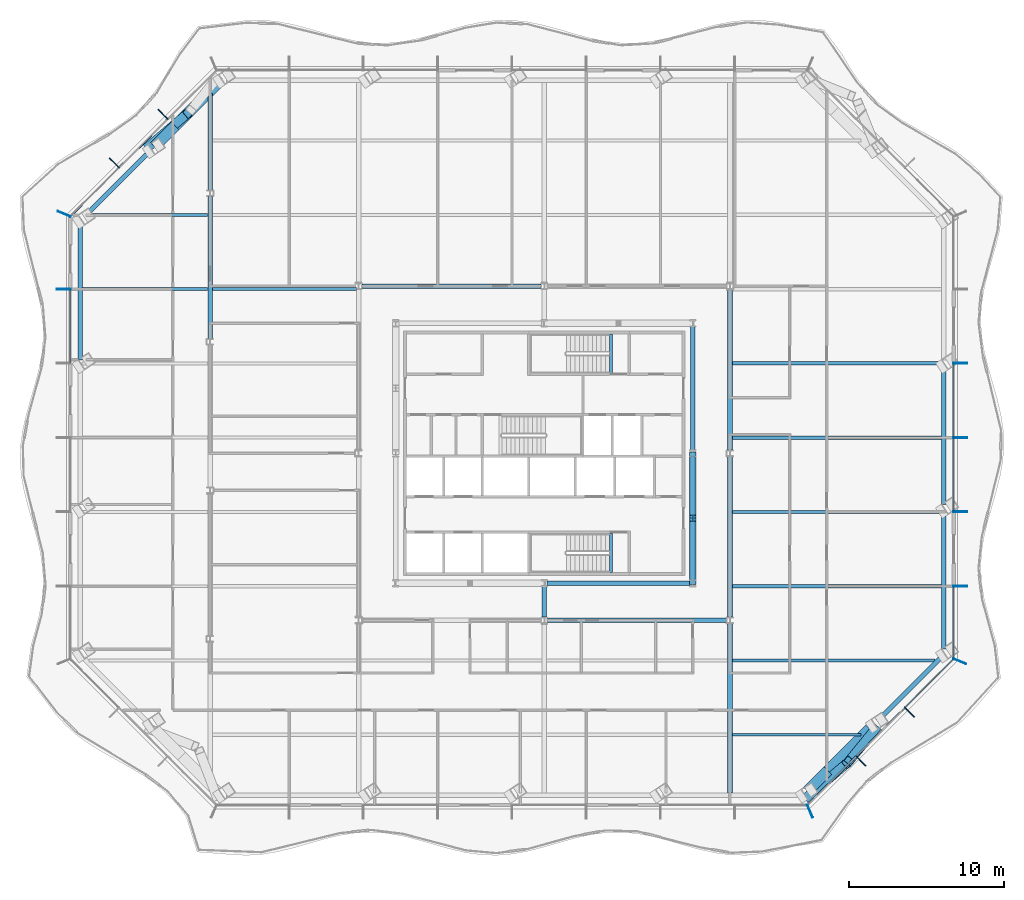
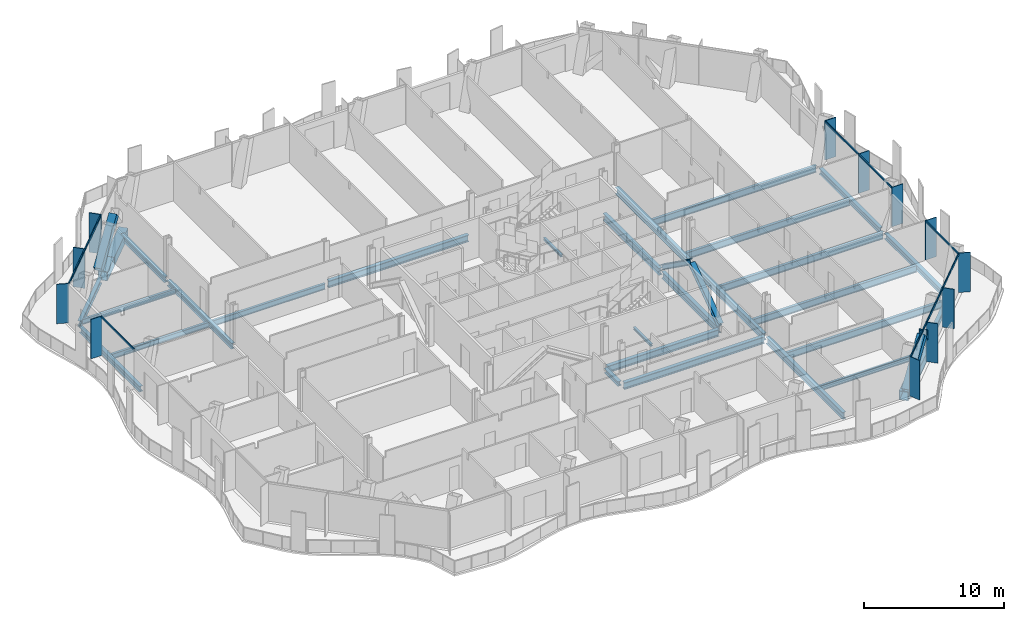
# One storey, part 4 of 22: 31 beams, 26 members, 4 elements without a shape of their own.
"""IFC4 building model written with IfcOpenShell, lengths in metres."""

from ifc_helpers import new_model, si_unit, direction, frame, origin, origin_2d, place, context, subcontext, project, spatial, rectangle, hollow_rectangle, i_section, extrude, material, material_profile, profile_set, type_object, element, aggregate, save


model = new_model("IFC4")

# Units and contexts
model_context = context("Model", 3, precision=1e-05, world=origin(), true_north=direction((0.0, 1.0)))
body_context = subcontext(model_context, "Body", "Model", "MODEL_VIEW")
ifc_project = project(units=[si_unit("LENGTHUNIT", "METRE"), si_unit("AREAUNIT", "SQUARE_METRE"), si_unit("VOLUMEUNIT", "CUBIC_METRE"), si_unit("PLANEANGLEUNIT", "RADIAN"), si_unit("MASSUNIT", "GRAM", prefix="KILO")], contexts=[model_context])

# Site, building, storey
site_placement = place(None, origin())
site = spatial("IfcSite", under=ifc_project, at=site_placement, CompositionType="ELEMENT")
building_placement = place(site_placement, origin())
building = spatial("IfcBuilding", under=site, at=building_placement, Name="Cairn Pilgrim Tower", CompositionType="ELEMENT")
storey_placement = place(building_placement, frame((0.0, 0.0, 105.0)))
storey = spatial("IfcBuildingStorey", under=building, at=storey_placement, Name="L25", CompositionType="ELEMENT", Elevation=105.0)

# Members
ifc_material_1 = material(Name="Structural steel S460M", Category="steel")
ifc_material_profile_1 = material_profile(ifc_material_1, hollow_rectangle(XDim=0.60009765625, YDim=0.60009765625, WallThickness=0.034912109375, at=origin_2d()), Name="BOX 600x600x35")
ifc_profile_set_1 = profile_set([ifc_material_profile_1], Name="Structural steel S460M")
member_type_1 = type_object("IfcMemberType", Name="BOX 600x600x35 BRACE", PredefinedType="BRACE", material=ifc_profile_set_1)
member_1_placement = place(storey_placement, frame((24.18408203125, -19.822265625, 0.14990234375), z_axis=(0.596565706566, 0.507112348243, 0.622050178048), x_axis=(-0.647671774253, 0.761919466109, 0.0)))
element("IfcMember", 1, at=member_1_placement, inside=storey, type_object=member_type_1, Name="XB-SE1-SE2-1", PredefinedType="BRACE", context=body_context, shape_type="SweptSolid", body=[
    extrude(hollow_rectangle(XDim=0.60009765625, YDim=0.60009765625, WallThickness=0.034912109375, at=origin_2d()), origin(), (0.0, 0.0, 1.0), 4.26318359375),
])
member_2_placement = place(storey_placement, frame((28.607421875, -15.39892578125, 0.14990234375), z_axis=(-0.450052110496, -0.551098739301, 0.702668682509), x_axis=(0.774540293732, -0.632524571369, 0.0)))
element("IfcMember", 2, at=member_2_placement, inside=storey, type_object=member_type_1, Name="XB-SE1-SE2-2", PredefinedType="BRACE", context=body_context, shape_type="SweptSolid", body=[
    extrude(hollow_rectangle(XDim=0.60009765625, YDim=0.60009765625, WallThickness=0.034912109375, at=origin_2d()), origin(), (0.0, 0.0, 1.0), 3.77392578125),
])
member_3_placement = place(storey_placement, frame((-18.381591796875, 22.21630859375, 0.14990234375), z_axis=(0.596582533875, 0.507089365102, 0.622052775957), x_axis=(-0.647644127953, 0.76194296606, 0.0)))
element("IfcMember", 3, at=member_3_placement, inside=storey, type_object=member_type_1, Name="XB-NW1-NW2-2", PredefinedType="BRACE", context=body_context, shape_type="SweptSolid", body=[
    extrude(hollow_rectangle(XDim=0.60009765625, YDim=0.60009765625, WallThickness=0.034912109375, at=origin_2d()), origin(), (0.0, 0.0, 1.0), 4.217529296875),
])

# Beams
ifc_material_2 = material(Name="Structural steel S355J2", Category="steel")
ifc_material_profile_2 = material_profile(ifc_material_2, hollow_rectangle(XDim=0.699951171875, YDim=0.800048828125, WallThickness=0.0400390625, at=origin_2d()), Name="BOX 700x800x40")
ifc_profile_set_2 = profile_set([ifc_material_profile_2], Name="Structural steel S355J2")
beam_type_1 = type_object("IfcBeamType", Name="BOX 700x800x40 RING GIRDER", PredefinedType="SPANDREL", material=ifc_profile_set_2)
beam_1_placement = place(storey_placement, frame((24.194580078125, -19.436767578125, -0.550048828125), z_axis=(0.707106781187, 0.707106781187, 0.0), x_axis=(-0.707106781187, 0.707106781187, 0.0)))
element("IfcBeam", 4, at=beam_1_placement, inside=storey, type_object=beam_type_1, Name="RG1-SE1-SE2-1", PredefinedType="SPANDREL", context=body_context, shape_type="SweptSolid", body=[
    extrude(hollow_rectangle(XDim=0.699951171875, YDim=0.800048828125, WallThickness=0.0400390625, at=origin_2d()), origin(), (0.0, 0.0, 1.0), 1.885498046875),
])
for number, where, z_axis, x_axis, name in (
    (5, (25.52783203125, -18.103515625, -0.550048828125), (0.707106781187, 0.707106781187, 0.0), (-0.707106781187, 0.707106781187, 0.0), "RG1-SE1-SE2-2"),
    (6, (-13.96875, 26.254150390625, -0.550048828125), (-0.707106781187, -0.707106781187, 0.0), (0.707106781187, -0.707106781187, 0.0), "RG1-NW1-NW2-1"),
):
    element("IfcBeam", number, at=place(storey_placement, frame(where, z_axis=z_axis, x_axis=x_axis)), inside=storey, type_object=beam_type_1, Name=name, PredefinedType="SPANDREL", context=body_context, shape_type="SweptSolid", body=[
        extrude(hollow_rectangle(XDim=0.699951171875, YDim=0.800048828125, WallThickness=0.0400390625, at=origin_2d()), origin(), (0.0, 0.0, 1.0), 3.81005859375),
    ])
beam_2_placement = place(storey_placement, frame((-16.662841796875, 23.56005859375, -0.550048828125), z_axis=(-0.707106781187, -0.707106781187, 0.0), x_axis=(0.707106781187, -0.707106781187, 0.0)))
element("IfcBeam", 7, at=beam_2_placement, inside=storey, type_object=beam_type_1, Name="RG1-NW1-NW2-2", PredefinedType="SPANDREL", context=body_context, shape_type="SweptSolid", body=[
    extrude(hollow_rectangle(XDim=0.699951171875, YDim=0.800048828125, WallThickness=0.0400390625, at=origin_2d()), origin(), (0.0, 0.0, 1.0), 1.885498046875),
])

# Curtain wall, members
ifc_material_3 = material(Name="Aluminium alloy 6063-T6 bronze anodised with Bronze tinted laminated low-E glass 8+16+8.8", Category="aluminium")
curtain_wall_type_1 = type_object("IfcCurtainWallType", Name="CHAMFER CORNER CURTAIN WALL", PredefinedType="NOTDEFINED", material=ifc_material_3)
curtain_wall_1_placement = place(storey_placement, origin())
curtain_wall_1 = element("IfcCurtainWall", 8, at=curtain_wall_1_placement, inside=storey, type_object=curtain_wall_type_1, Name="Chamfer Corner Curtain Wall SE", PredefinedType="NOTDEFINED")
ifc_material_4 = material(Name="Aluminium alloy 6063-T6 bronze anodised", Category="aluminium")
ifc_material_profile_3 = material_profile(ifc_material_4, rectangle(XDim=0.89990234375, YDim=0.06005859375, at=origin_2d()), Name="FIN MULLION 60x900 BRONZE")
ifc_profile_set_3 = profile_set([ifc_material_profile_3], Name="Aluminium alloy 6063-T6 bronze anodised")
member_type_2 = type_object("IfcMemberType", Name="FIN MULLION 60x900 BRONZE", PredefinedType="MULLION", material=ifc_profile_set_3)
member_4_placement = place(storey_placement, frame((24.3701171875, -20.7294921875, 0.0), z_axis=(0.0, 0.0, 1.0), x_axis=(0.382683432365, -0.923879532511, 0.0)))
member_4 = element("IfcMember", 9, at=member_4_placement, type_object=member_type_2, Name="Fin mullion SE1", PredefinedType="MULLION", context=body_context, shape_type="SweptSolid", body=[
    extrude(rectangle(XDim=0.89990234375, YDim=0.06005859375, at=origin_2d()), origin(), (0.0, 0.0, 1.0), 3.449951171875),
])
member_5_placement = place(storey_placement, frame((27.657470703125, -17.487060546875, 0.0), z_axis=(0.0, 0.0, 1.0), x_axis=(0.707106781187, -0.707106781187, 0.0)))
member_5 = element("IfcMember", 10, at=member_5_placement, type_object=member_type_2, Name="Fin mullion SE2", PredefinedType="MULLION", context=body_context, shape_type="SweptSolid", body=[
    extrude(rectangle(XDim=0.89990234375, YDim=0.06005859375, at=origin_2d()), origin(), (0.0, 0.0, 1.0), 3.449951171875),
])
member_6_placement = place(storey_placement, frame((30.808837890625, -14.3359375, 0.0), z_axis=(0.0, 0.0, 1.0), x_axis=(0.707106781187, -0.707106781187, 0.0)))
member_6 = element("IfcMember", 11, at=member_6_placement, type_object=member_type_2, Name="Fin mullion SE3", PredefinedType="MULLION", context=body_context, shape_type="SweptSolid", body=[
    extrude(rectangle(XDim=0.89990234375, YDim=0.06005859375, at=origin_2d()), origin(), (0.0, 0.0, 1.0), 3.449951171875),
])

curtain_wall_type_2 = type_object("IfcCurtainWallType", Name="TOWER STICK CURTAIN WALL EW", PredefinedType="NOTDEFINED", material=ifc_material_3)
curtain_wall_2_placement = place(storey_placement, origin())
curtain_wall_2 = element("IfcCurtainWall", 12, at=curtain_wall_2_placement, inside=storey, type_object=curtain_wall_type_2, Name="Tower Stick Curtain Wall Ew E", PredefinedType="NOTDEFINED")
member_7_placement = place(storey_placement, frame((34.051025390625, -11.048583984375, 0.0), z_axis=(0.0, 0.0, 1.0), x_axis=(0.923879532511, -0.382683432365, 0.0)))
member_7 = element("IfcMember", 13, at=member_7_placement, type_object=member_type_2, Name="Fin mullion E1", PredefinedType="MULLION", context=body_context, shape_type="SweptSolid", body=[
    extrude(rectangle(XDim=0.89990234375, YDim=0.06005859375, at=origin_2d()), origin(), (0.0, 0.0, 1.0), 3.449951171875),
])
member_8_placement = place(storey_placement, frame((34.0830078125, -6.19140625, 0.0), z_axis=(0.0, 0.0, 1.0), x_axis=(1.0, 0.0, 0.0)))
member_8 = element("IfcMember", 14, at=member_8_placement, type_object=member_type_2, Name="Fin mullion E2", PredefinedType="MULLION", context=body_context, shape_type="SweptSolid", body=[
    extrude(rectangle(XDim=0.89990234375, YDim=0.06005859375, at=origin_2d()), origin(), (0.0, 0.0, 1.0), 3.449951171875),
])
member_9_placement = place(storey_placement, frame((34.0830078125, -1.391357421875, 0.0), z_axis=(0.0, 0.0, 1.0), x_axis=(1.0, 0.0, 0.0)))
member_9 = element("IfcMember", 15, at=member_9_placement, type_object=member_type_2, Name="Fin mullion E3", PredefinedType="MULLION", context=body_context, shape_type="SweptSolid", body=[
    extrude(rectangle(XDim=0.89990234375, YDim=0.06005859375, at=origin_2d()), origin(), (0.0, 0.0, 1.0), 3.449951171875),
])
member_10_placement = place(storey_placement, frame((34.0830078125, 3.40869140625, 0.0), z_axis=(0.0, 0.0, 1.0), x_axis=(1.0, 0.0, 0.0)))
member_10 = element("IfcMember", 16, at=member_10_placement, type_object=member_type_2, Name="Fin mullion E4", PredefinedType="MULLION", context=body_context, shape_type="SweptSolid", body=[
    extrude(rectangle(XDim=0.89990234375, YDim=0.06005859375, at=origin_2d()), origin(), (0.0, 0.0, 1.0), 3.449951171875),
])
member_11_placement = place(storey_placement, frame((34.0830078125, 8.208740234375, 0.0), z_axis=(0.0, 0.0, 1.0), x_axis=(1.0, 0.0, 0.0)))
member_11 = element("IfcMember", 17, at=member_11_placement, type_object=member_type_2, Name="Fin mullion E5", PredefinedType="MULLION", context=body_context, shape_type="SweptSolid", body=[
    extrude(rectangle(XDim=0.89990234375, YDim=0.06005859375, at=origin_2d()), origin(), (0.0, 0.0, 1.0), 3.449951171875),
])

curtain_wall_3_placement = place(storey_placement, origin())
curtain_wall_3 = element("IfcCurtainWall", 18, at=curtain_wall_3_placement, inside=storey, type_object=curtain_wall_type_1, Name="Chamfer Corner Curtain Wall NW", PredefinedType="NOTDEFINED")
member_12_placement = place(storey_placement, frame((-17.431640625, 24.304443359375, 0.0), z_axis=(0.0, 0.0, 1.0), x_axis=(-0.707106781187, 0.707106781187, 0.0)))
member_12 = element("IfcMember", 19, at=member_12_placement, type_object=member_type_2, Name="Fin mullion NW2", PredefinedType="MULLION", context=body_context, shape_type="SweptSolid", body=[
    extrude(rectangle(XDim=0.89990234375, YDim=0.06005859375, at=origin_2d()), origin(), (0.0, 0.0, 1.0), 3.449951171875),
])
member_13_placement = place(storey_placement, frame((-20.582763671875, 21.1533203125, 0.0), z_axis=(0.0, 0.0, 1.0), x_axis=(-0.707106781187, 0.707106781187, 0.0)))
member_13 = element("IfcMember", 20, at=member_13_placement, type_object=member_type_2, Name="Fin mullion NW3", PredefinedType="MULLION", context=body_context, shape_type="SweptSolid", body=[
    extrude(rectangle(XDim=0.89990234375, YDim=0.06005859375, at=origin_2d()), origin(), (0.0, 0.0, 1.0), 3.449951171875),
])

curtain_wall_4_placement = place(storey_placement, origin())
curtain_wall_4 = element("IfcCurtainWall", 21, at=curtain_wall_4_placement, inside=storey, type_object=curtain_wall_type_2, Name="Tower Stick Curtain Wall Ew W", PredefinedType="NOTDEFINED")
member_14_placement = place(storey_placement, frame((-23.8251953125, 17.86572265625, 0.0), z_axis=(0.0, 0.0, 1.0), x_axis=(-0.923879532511, 0.382683432365, 0.0)))
member_14 = element("IfcMember", 22, at=member_14_placement, type_object=member_type_2, Name="Fin mullion W1", PredefinedType="MULLION", context=body_context, shape_type="SweptSolid", body=[
    extrude(rectangle(XDim=0.89990234375, YDim=0.06005859375, at=origin_2d()), origin(), (0.0, 0.0, 1.0), 3.449951171875),
])
member_15_placement = place(storey_placement, frame((-23.857177734375, 13.008544921875, 0.0), z_axis=(0.0, 0.0, 1.0), x_axis=(-1.0, 0.0, 0.0)))
member_15 = element("IfcMember", 23, at=member_15_placement, type_object=member_type_2, Name="Fin mullion W2", PredefinedType="MULLION", context=body_context, shape_type="SweptSolid", body=[
    extrude(rectangle(XDim=0.89990234375, YDim=0.06005859375, at=origin_2d()), origin(), (0.0, 0.0, 1.0), 3.449951171875),
])

# Members
ifc_material_profile_4 = material_profile(ifc_material_1, i_section(OverallWidth=0.408935546875, OverallDepth=0.425048828125, WebThickness=0.03271484375, FlangeThickness=0.052490234375, FilletRadius=0.014892578125, at=origin_2d()), Name="HD 400x421")
ifc_profile_set_4 = profile_set([ifc_material_profile_4], Name="Structural steel S460M")
member_type_3 = type_object("IfcMemberType", Name="HD 400x421 BRACE", PredefinedType="BRACE", material=ifc_profile_set_4)
for number, where, z_axis, x_axis, name in (
    (24, (16.800048828125, -5.95751953125, 0.10009765625), (0.0, 0.814281054922, 0.58047081201), (-1.0, 0.0, 0.0), "KB-2A"),
    (25, (16.800048828125, 2.357666015625, 0.10009765625), (0.0, -0.814281054922, 0.58047081201), (1.0, 0.0, 0.0), "KB-2B"),
):
    element("IfcMember", number, at=place(storey_placement, frame(where, z_axis=z_axis, x_axis=x_axis)), inside=storey, type_object=member_type_3, Name=name, PredefinedType="BRACE", context=body_context, shape_type="SweptSolid", body=[
        extrude(i_section(OverallWidth=0.408935546875, OverallDepth=0.425048828125, WebThickness=0.03271484375, FlangeThickness=0.052490234375, FilletRadius=0.014892578125, at=origin_2d()), origin(), (0.0, 0.0, 1.0), 4.99755859375),
    ])

# Beams
ifc_material_profile_5 = material_profile(ifc_material_2, i_section(OverallWidth=0.300048828125, OverallDepth=0.39990234375, WebThickness=0.013427734375, FlangeThickness=0.02392578125, FilletRadius=0.027099609375, at=origin_2d()), Name="HEB 400")
ifc_profile_set_5 = profile_set([ifc_material_profile_5], Name="Structural steel S355J2")
beam_type_2 = type_object("IfcBeamType", Name="HEB 400 GIRDER", PredefinedType="BEAM", material=ifc_profile_set_5)
beam_3_placement = place(storey_placement, frame((7.199951171875, -8.195556640625, -0.35009765625), z_axis=(0.0, 1.0, 0.0), x_axis=(-1.0, 0.0, 0.0)))
element("IfcBeam", 26, at=beam_3_placement, inside=storey, type_object=beam_type_2, Name="PG3-E1", PredefinedType="BEAM", context=body_context, shape_type="SweptSolid", body=[
    extrude(i_section(OverallWidth=0.300048828125, OverallDepth=0.39990234375, WebThickness=0.013427734375, FlangeThickness=0.02392578125, FilletRadius=0.027099609375, at=origin_2d()), origin(), (0.0, 0.0, 1.0), 1.983642578125),
])
ifc_material_profile_6 = material_profile(ifc_material_2, i_section(OverallWidth=0.300048828125, OverallDepth=0.5, WebThickness=0.014404296875, FlangeThickness=0.028076171875, FilletRadius=0.027099609375, at=origin_2d()), Name="HEB 500")
ifc_profile_set_6 = profile_set([ifc_material_profile_6], Name="Structural steel S355J2")
beam_type_3 = type_object("IfcBeamType", Name="HEB 500 GIRDER", PredefinedType="BEAM", material=ifc_profile_set_6)
beam_4_placement = place(storey_placement, frame((-14.39990234375, 9.799560546875, -0.39990234375), z_axis=(0.0, 1.0, 0.0), x_axis=(-1.0, 0.0, 0.0)))
element("IfcBeam", 27, at=beam_4_placement, inside=storey, type_object=beam_type_3, Name="PG1-4", PredefinedType="BEAM", context=body_context, shape_type="SweptSolid", body=[
    extrude(i_section(OverallWidth=0.300048828125, OverallDepth=0.5, WebThickness=0.014404296875, FlangeThickness=0.028076171875, FilletRadius=0.027099609375, at=origin_2d()), origin(), (0.0, 0.0, 1.0), 9.200927734375),
])
beam_5_placement = place(storey_placement, frame((-14.39990234375, 19.3994140625, -0.39990234375), z_axis=(0.0, 1.0, 0.0), x_axis=(-1.0, 0.0, 0.0)))
element("IfcBeam", 28, at=beam_5_placement, inside=storey, type_object=beam_type_3, Name="PG1-5", PredefinedType="BEAM", context=body_context, shape_type="SweptSolid", body=[
    extrude(i_section(OverallWidth=0.300048828125, OverallDepth=0.5, WebThickness=0.014404296875, FlangeThickness=0.028076171875, FilletRadius=0.027099609375, at=origin_2d()), origin(), (0.0, 0.0, 1.0), 6.241455078125),
])
ifc_material_profile_7 = material_profile(ifc_material_2, i_section(OverallWidth=0.300048828125, OverallDepth=0.5, WebThickness=0.014404296875, FlangeThickness=0.028076171875, FilletRadius=0.027099609375, at=origin_2d()), Name="HEB 500")
ifc_profile_set_7 = profile_set([ifc_material_profile_7], Name="Structural steel S355J2")
beam_type_4 = type_object("IfcBeamType", Name="HEB 500 RING GIRDER", PredefinedType="SPANDREL", material=ifc_profile_set_7)
beam_6_placement = place(storey_placement, frame((28.731201171875, -14.900390625, -0.39990234375), z_axis=(0.707085347538, 0.707128214185, 0.0), x_axis=(-0.707128214185, 0.707085347538, 0.0)))
element("IfcBeam", 29, at=beam_6_placement, inside=storey, type_object=beam_type_4, Name="RG1-SE2-E1", PredefinedType="SPANDREL", context=body_context, shape_type="SweptSolid", body=[
    extrude(i_section(OverallWidth=0.300048828125, OverallDepth=0.5, WebThickness=0.014404296875, FlangeThickness=0.028076171875, FilletRadius=0.027099609375, at=origin_2d()), origin(), (0.0, 0.0, 1.0), 5.6953125),
])
for number, where, z_axis, x_axis, name in (
    (30, (33.012939453125, -10.258544921875, -0.39990234375), (0.0, 1.0, 0.0), (-1.0, 0.0, 0.0), "RG1-E1-E2"),
    (31, (33.012939453125, -0.906982421875, -0.39990234375), (0.0, 1.0, 0.0), (-1.0, 0.0, 0.0), "RG1-E2-E3"),
):
    element("IfcBeam", number, at=place(storey_placement, frame(where, z_axis=z_axis, x_axis=x_axis)), inside=storey, type_object=beam_type_4, Name=name, PredefinedType="SPANDREL", context=body_context, shape_type="SweptSolid", body=[
        extrude(i_section(OverallWidth=0.300048828125, OverallDepth=0.5, WebThickness=0.014404296875, FlangeThickness=0.028076171875, FilletRadius=0.027099609375, at=origin_2d()), origin(), (0.0, 0.0, 1.0), 8.63134765625),
    ])
beam_7_placement = place(storey_placement, frame((-18.505126953125, 21.7177734375, -0.39990234375), z_axis=(-0.707106781187, -0.707106781187, 0.0), x_axis=(0.707106781187, -0.707106781187, 0.0)))
element("IfcBeam", 32, at=beam_7_placement, inside=storey, type_object=beam_type_4, Name="RG1-NW2-W1", PredefinedType="SPANDREL", context=body_context, shape_type="SweptSolid", body=[
    extrude(i_section(OverallWidth=0.300048828125, OverallDepth=0.5, WebThickness=0.014404296875, FlangeThickness=0.028076171875, FilletRadius=0.027099609375, at=origin_2d()), origin(), (0.0, 0.0, 1.0), 5.695556640625),
])
beam_8_placement = place(storey_placement, frame((-22.787109375, 17.07568359375, -0.39990234375), z_axis=(0.0, -1.0, 0.0), x_axis=(1.0, 0.0, 0.0)))
element("IfcBeam", 33, at=beam_8_placement, inside=storey, type_object=beam_type_4, Name="RG1-W1-W2", PredefinedType="SPANDREL", context=body_context, shape_type="SweptSolid", body=[
    extrude(i_section(OverallWidth=0.300048828125, OverallDepth=0.5, WebThickness=0.014404296875, FlangeThickness=0.028076171875, FilletRadius=0.027099609375, at=origin_2d()), origin(), (0.0, 0.0, 1.0), 8.63134765625),
])
ifc_material_profile_8 = material_profile(ifc_material_2, i_section(OverallWidth=0.300048828125, OverallDepth=0.60009765625, WebThickness=0.015380859375, FlangeThickness=0.030029296875, FilletRadius=0.027099609375, at=origin_2d()), Name="HEB 600")
ifc_profile_set_8 = profile_set([ifc_material_profile_8], Name="Structural steel S355J2")
beam_type_5 = type_object("IfcBeamType", Name="HEB 600 CORE BEAM", PredefinedType="BEAM", material=ifc_profile_set_8)
beam_9_placement = place(storey_placement, frame((7.390869140625, -6.0, -0.449951171875), z_axis=(1.0, 0.0, 0.0), x_axis=(0.0, 1.0, 0.0)))
element("IfcBeam", 34, at=beam_9_placement, inside=storey, type_object=beam_type_5, Name="CB-2", PredefinedType="BEAM", context=body_context, shape_type="SweptSolid", body=[
    extrude(i_section(OverallWidth=0.300048828125, OverallDepth=0.60009765625, WebThickness=0.015380859375, FlangeThickness=0.030029296875, FilletRadius=0.027099609375, at=origin_2d()), origin(), (0.0, 0.0, 1.0), 9.21826171875),
])
for number, where, z_axis, x_axis, name in (
    (35, (16.800048828125, -5.80908203125, -0.449951171875), (0.0, 1.0, 0.0), (-1.0, 0.0, 0.0), "CB-3"),
    (36, (16.800048828125, 2.5908203125, -0.449951171875), (0.0, 1.0, 0.0), (-1.0, 0.0, 0.0), "CB-4"),
):
    element("IfcBeam", number, at=place(storey_placement, frame(where, z_axis=z_axis, x_axis=x_axis)), inside=storey, type_object=beam_type_5, Name=name, PredefinedType="BEAM", context=body_context, shape_type="SweptSolid", body=[
        extrude(i_section(OverallWidth=0.300048828125, OverallDepth=0.60009765625, WebThickness=0.015380859375, FlangeThickness=0.030029296875, FilletRadius=0.027099609375, at=origin_2d()), origin(), (0.0, 0.0, 1.0), 8.018310546875),
    ])
ifc_material_profile_9 = material_profile(ifc_material_2, i_section(OverallWidth=0.300048828125, OverallDepth=0.60009765625, WebThickness=0.015380859375, FlangeThickness=0.030029296875, FilletRadius=0.027099609375, at=origin_2d()), Name="HEB 600")
ifc_profile_set_9 = profile_set([ifc_material_profile_9], Name="Structural steel S355J2")
beam_type_6 = type_object("IfcBeamType", Name="HEB 600 GIRDER", PredefinedType="BEAM", material=ifc_profile_set_9)
beam_10_placement = place(storey_placement, frame((19.199951171875, -19.5712890625, -0.449951171875), z_axis=(0.0, 1.0, 0.0), x_axis=(-1.0, 0.0, 0.0)))
element("IfcBeam", 37, at=beam_10_placement, inside=storey, type_object=beam_type_6, Name="PG4-1", PredefinedType="BEAM", context=body_context, shape_type="SweptSolid", body=[
    extrude(i_section(OverallWidth=0.300048828125, OverallDepth=0.60009765625, WebThickness=0.015380859375, FlangeThickness=0.030029296875, FilletRadius=0.027099609375, at=origin_2d()), origin(), (0.0, 0.0, 1.0), 10.966796875),
])
for number, where, z_axis, x_axis, name in (
    (38, (19.199951171875, -8.195556640625, -0.449951171875), (0.0, 1.0, 0.0), (-1.0, 0.0, 0.0), "PG4-2"),
    (39, (19.199951171875, 2.6044921875, -0.449951171875), (0.0, 1.0, 0.0), (-1.0, 0.0, 0.0), "PG4-3"),
):
    element("IfcBeam", number, at=place(storey_placement, frame(where, z_axis=z_axis, x_axis=x_axis)), inside=storey, type_object=beam_type_6, Name=name, PredefinedType="BEAM", context=body_context, shape_type="SweptSolid", body=[
        extrude(i_section(OverallWidth=0.300048828125, OverallDepth=0.60009765625, WebThickness=0.015380859375, FlangeThickness=0.030029296875, FilletRadius=0.027099609375, at=origin_2d()), origin(), (0.0, 0.0, 1.0), 10.39111328125),
    ])
ifc_material_profile_10 = material_profile(ifc_material_2, i_section(OverallWidth=0.300048828125, OverallDepth=0.60009765625, WebThickness=0.015380859375, FlangeThickness=0.030029296875, FilletRadius=0.027099609375, at=origin_2d()), Name="HEB 600")
ifc_profile_set_10 = profile_set([ifc_material_profile_10], Name="Structural steel S355J2")
beam_type_7 = type_object("IfcBeamType", Name="HEB 600 INNER GIRDER", PredefinedType="BEAM", material=ifc_profile_set_10)
for number, where, z_axis, x_axis, name in (
    (40, (7.404541015625, -8.39990234375, -0.449951171875), (1.0, 0.0, 0.0), (0.0, 1.0, 0.0), "IG1-2"),
    (41, (-4.595458984375, 13.199951171875, -0.449951171875), (1.0, 0.0, 0.0), (0.0, 1.0, 0.0), "IG2-1"),
):
    element("IfcBeam", number, at=place(storey_placement, frame(where, z_axis=z_axis, x_axis=x_axis)), inside=storey, type_object=beam_type_7, Name=name, PredefinedType="BEAM", context=body_context, shape_type="SweptSolid", body=[
        extrude(i_section(OverallWidth=0.300048828125, OverallDepth=0.60009765625, WebThickness=0.015380859375, FlangeThickness=0.030029296875, FilletRadius=0.027099609375, at=origin_2d()), origin(), (0.0, 0.0, 1.0), 11.591064453125),
    ])
ifc_material_profile_11 = material_profile(ifc_material_2, i_section(OverallWidth=0.18994140625, OverallDepth=0.449951171875, WebThickness=0.009521484375, FlangeThickness=0.0146484375, FilletRadius=0.02099609375, at=origin_2d()), Name="IPE 450")
ifc_profile_set_11 = profile_set([ifc_material_profile_11], Name="Structural steel S355J2")
beam_type_8 = type_object("IfcBeamType", Name="IPE 450 SECONDARY BEAM", PredefinedType="JOIST", material=ifc_profile_set_11)
beam_11_placement = place(storey_placement, frame((19.35009765625, -15.79150390625, -0.375), z_axis=(1.0, 0.0, 0.0), x_axis=(0.0, 1.0, 0.0)))
element("IfcBeam", 42, at=beam_11_placement, inside=storey, type_object=beam_type_8, Name="SB1-4", PredefinedType="JOIST", context=body_context, shape_type="SweptSolid", body=[
    extrude(i_section(OverallWidth=0.18994140625, OverallDepth=0.449951171875, WebThickness=0.009521484375, FlangeThickness=0.0146484375, FilletRadius=0.02099609375, at=origin_2d()), origin(), (0.0, 0.0, 1.0), 8.307861328125),
])
beam_12_placement = place(storey_placement, frame((-22.6669921875, 13.008544921875, -0.375), z_axis=(1.0, 0.0, 0.0), x_axis=(0.0, 1.0, 0.0)))
element("IfcBeam", 43, at=beam_12_placement, inside=storey, type_object=beam_type_8, Name="SB7-1", PredefinedType="JOIST", context=body_context, shape_type="SweptSolid", body=[
    extrude(i_section(OverallWidth=0.18994140625, OverallDepth=0.449951171875, WebThickness=0.009521484375, FlangeThickness=0.0146484375, FilletRadius=0.02099609375, at=origin_2d()), origin(), (0.0, 0.0, 1.0), 8.116943359375),
])
beam_13_placement = place(storey_placement, frame((-22.232177734375, 17.80859375, -0.375), z_axis=(1.0, 0.0, 0.0), x_axis=(0.0, 1.0, 0.0)))
element("IfcBeam", 44, at=beam_13_placement, inside=storey, type_object=beam_type_8, Name="SB8-1", PredefinedType="JOIST", context=body_context, shape_type="SweptSolid", body=[
    extrude(i_section(OverallWidth=0.18994140625, OverallDepth=0.449951171875, WebThickness=0.009521484375, FlangeThickness=0.0146484375, FilletRadius=0.02099609375, at=origin_2d()), origin(), (0.0, 0.0, 1.0), 7.68212890625),
])
ifc_material_profile_12 = material_profile(ifc_material_2, i_section(OverallWidth=0.199951171875, OverallDepth=0.5, WebThickness=0.01025390625, FlangeThickness=0.01611328125, FilletRadius=0.02099609375, at=origin_2d()), Name="IPE 500")
ifc_profile_set_12 = profile_set([ifc_material_profile_12], Name="Structural steel S355J2")
beam_type_9 = type_object("IfcBeamType", Name="IPE 500 SECONDARY BEAM", PredefinedType="JOIST", material=ifc_profile_set_12)
beam_14_placement = place(storey_placement, frame((-14.25, 13.008544921875, -0.39990234375), z_axis=(1.0, 0.0, 0.0), x_axis=(0.0, 1.0, 0.0)))
element("IfcBeam", 45, at=beam_14_placement, inside=storey, type_object=beam_type_9, Name="SB7-2", PredefinedType="JOIST", context=body_context, shape_type="SweptSolid", body=[
    extrude(i_section(OverallWidth=0.199951171875, OverallDepth=0.5, WebThickness=0.01025390625, FlangeThickness=0.01611328125, FilletRadius=0.02099609375, at=origin_2d()), origin(), (0.0, 0.0, 1.0), 9.300048828125),
])
ifc_material_profile_13 = material_profile(ifc_material_2, i_section(OverallWidth=0.219970703125, OverallDepth=0.60009765625, WebThickness=0.011962890625, FlangeThickness=0.01904296875, FilletRadius=0.02392578125, at=origin_2d()), Name="IPE 600")
ifc_profile_set_13 = profile_set([ifc_material_profile_13], Name="Structural steel S355J2")
beam_type_10 = type_object("IfcBeamType", Name="IPE 600 SECONDARY BEAM", PredefinedType="JOIST", material=ifc_profile_set_13)
beam_15_placement = place(storey_placement, frame((19.35009765625, -10.991455078125, -0.449951171875), z_axis=(1.0, 0.0, 0.0), x_axis=(0.0, 1.0, 0.0)))
element("IfcBeam", 46, at=beam_15_placement, inside=storey, type_object=beam_type_10, Name="SB2-5", PredefinedType="JOIST", context=body_context, shape_type="SweptSolid", body=[
    extrude(i_section(OverallWidth=0.219970703125, OverallDepth=0.60009765625, WebThickness=0.011962890625, FlangeThickness=0.01904296875, FilletRadius=0.02392578125, at=origin_2d()), origin(), (0.0, 0.0, 1.0), 13.10791015625),
])
for number, where, z_axis, x_axis, name in (
    (47, (19.35009765625, -6.19140625, -0.449951171875), (1.0, 0.0, 0.0), (0.0, 1.0, 0.0), "SB3-3"),
    (48, (19.35009765625, -1.391357421875, -0.449951171875), (1.0, 0.0, 0.0), (0.0, 1.0, 0.0), "SB4-3"),
    (49, (19.35009765625, 3.40869140625, -0.449951171875), (1.0, 0.0, 0.0), (0.0, 1.0, 0.0), "SB5-3"),
    (50, (19.35009765625, 8.20849609375, -0.449951171875), (1.0, 0.0, 0.0), (0.0, 1.0, 0.0), "SB6-3"),
):
    element("IfcBeam", number, at=place(storey_placement, frame(where, z_axis=z_axis, x_axis=x_axis)), inside=storey, type_object=beam_type_10, Name=name, PredefinedType="JOIST", context=body_context, shape_type="SweptSolid", body=[
        extrude(i_section(OverallWidth=0.219970703125, OverallDepth=0.60009765625, WebThickness=0.011962890625, FlangeThickness=0.01904296875, FilletRadius=0.02392578125, at=origin_2d()), origin(), (0.0, 0.0, 1.0), 13.542724609375),
    ])
ifc_material_profile_14 = material_profile(ifc_material_2, i_section(OverallWidth=0.199951171875, OverallDepth=0.199951171875, WebThickness=0.009033203125, FlangeThickness=0.014892578125, FilletRadius=0.01806640625, at=origin_2d()), Name="HE 200 B")
ifc_profile_set_14 = profile_set([ifc_material_profile_14], Name="Structural steel S355J2")
beam_type_11 = type_object("IfcBeamType", Name="STAIR LANDING BEAM HE 200 B", PredefinedType="BEAM", material=ifc_profile_set_14)
for number, where, z_axis, x_axis, name in (
    (51, (11.5244140625, -2.77490234375, -0.25), (0.0, -1.0, 0.0), (1.0, 0.0, 0.0), "STAIR LANDING BEAM LD-HE200B"),
    (52, (11.5244140625, 10.10009765625, -0.25), (0.0, -1.0, 0.0), (1.0, 0.0, 0.0), "STAIR LANDING BEAM LD-HE200B"),
):
    element("IfcBeam", number, at=place(storey_placement, frame(where, z_axis=z_axis, x_axis=x_axis)), inside=storey, type_object=beam_type_11, Name=name, PredefinedType="BEAM", context=body_context, shape_type="SweptSolid", body=[
        extrude(i_section(OverallWidth=0.199951171875, OverallDepth=0.199951171875, WebThickness=0.009033203125, FlangeThickness=0.014892578125, FilletRadius=0.01806640625, at=origin_2d()), origin(), (0.0, 0.0, 1.0), 2.525146484375),
    ])

# Member
ifc_material_profile_15 = material_profile(ifc_material_4, rectangle(XDim=0.080078125, YDim=0.14990234375, at=origin_2d()), Name="TRANSOM 80x150 BRONZE")
ifc_profile_set_15 = profile_set([ifc_material_profile_15], Name="Aluminium alloy 6063-T6 bronze anodised")
member_type_4 = type_object("IfcMemberType", Name="TRANSOM 80x150 BRONZE", PredefinedType="USERDEFINED", material=ifc_profile_set_15)
member_16_placement = place(storey_placement, frame((24.237548828125, -20.31298828125, 3.375), z_axis=(0.707134609628, 0.70707895165, 0.0), x_axis=(-0.70707895165, 0.707134609628, 0.0)))
member_16 = element("IfcMember", 53, at=member_16_placement, type_object=member_type_4, Name="Transom SE1", ObjectType="TRANSOM", PredefinedType="USERDEFINED", context=body_context, shape_type="SweptSolid", body=[
    extrude(rectangle(XDim=0.080078125, YDim=0.14990234375, at=origin_2d()), origin(), (0.0, 0.0, 1.0), 4.386474609375),
])

member_17_placement = place(storey_placement, frame((27.3818359375, -17.1689453125, 3.375), z_axis=(0.707106781187, 0.707106781187, 0.0), x_axis=(-0.707106781187, 0.707106781187, 0.0)))
member_17 = element("IfcMember", 54, at=member_17_placement, type_object=member_type_4, Name="Transom SE2", ObjectType="TRANSOM", PredefinedType="USERDEFINED", context=body_context, shape_type="SweptSolid", body=[
    extrude(rectangle(XDim=0.080078125, YDim=0.14990234375, at=origin_2d()), origin(), (0.0, 0.0, 1.0), 4.396240234375),
])

member_18_placement = place(storey_placement, frame((30.532958984375, -14.017822265625, 3.375), z_axis=(0.707106781187, 0.707106781187, 0.0), x_axis=(-0.707106781187, 0.707106781187, 0.0)))
member_18 = element("IfcMember", 55, at=member_18_placement, type_object=member_type_4, Name="Transom SE3", ObjectType="TRANSOM", PredefinedType="USERDEFINED", context=body_context, shape_type="SweptSolid", body=[
    extrude(rectangle(XDim=0.080078125, YDim=0.14990234375, at=origin_2d()), origin(), (0.0, 0.0, 1.0), 4.38671875),
])

aggregate(curtain_wall_1, [member_4, member_5, member_6, member_16, member_17, member_18])

member_19_placement = place(storey_placement, frame((33.662841796875, -10.847900390625, 3.375), z_axis=(0.0, 1.0, 0.0), x_axis=(-1.0, 0.0, 0.0)))
member_19 = element("IfcMember", 56, at=member_19_placement, type_object=member_type_4, Name="Transom E1", ObjectType="TRANSOM", PredefinedType="USERDEFINED", context=body_context, shape_type="SweptSolid", body=[
    extrude(rectangle(XDim=0.080078125, YDim=0.14990234375, at=origin_2d()), origin(), (0.0, 0.0, 1.0), 4.62646484375),
])

member_20_placement = place(storey_placement, frame((33.662841796875, -1.361328125, 3.375), z_axis=(0.0, 1.0, 0.0), x_axis=(-1.0, 0.0, 0.0)))
member_20 = element("IfcMember", 57, at=member_20_placement, type_object=member_type_4, Name="Transom E3", ObjectType="TRANSOM", PredefinedType="USERDEFINED", context=body_context, shape_type="SweptSolid", body=[
    extrude(rectangle(XDim=0.080078125, YDim=0.14990234375, at=origin_2d()), origin(), (0.0, 0.0, 1.0), 4.739990234375),
])

member_21_placement = place(storey_placement, frame((33.662841796875, 3.438720703125, 3.375), z_axis=(0.0, 1.0, 0.0), x_axis=(-1.0, 0.0, 0.0)))
member_21 = element("IfcMember", 58, at=member_21_placement, type_object=member_type_4, Name="Transom E4", ObjectType="TRANSOM", PredefinedType="USERDEFINED", context=body_context, shape_type="SweptSolid", body=[
    extrude(rectangle(XDim=0.080078125, YDim=0.14990234375, at=origin_2d()), origin(), (0.0, 0.0, 1.0), 4.739990234375),
])

aggregate(curtain_wall_2, [member_7, member_8, member_9, member_10, member_11, member_19, member_20, member_21])

member_22_placement = place(storey_placement, frame((-17.156005859375, 23.986328125, 3.375), z_axis=(-0.707079015032, -0.707134546251, 0.0), x_axis=(0.707134546251, -0.707079015032, 0.0)))
member_22 = element("IfcMember", 59, at=member_22_placement, type_object=member_type_4, Name="Transom NW2", ObjectType="TRANSOM", PredefinedType="USERDEFINED", context=body_context, shape_type="SweptSolid", body=[
    extrude(rectangle(XDim=0.080078125, YDim=0.14990234375, at=origin_2d()), origin(), (0.0, 0.0, 1.0), 4.396484375),
])

member_23_placement = place(storey_placement, frame((-20.30712890625, 20.8349609375, 3.375), z_axis=(-0.707106781187, -0.707106781187, 0.0), x_axis=(0.707106781187, -0.707106781187, 0.0)))
member_23 = element("IfcMember", 60, at=member_23_placement, type_object=member_type_4, Name="Transom NW3", ObjectType="TRANSOM", PredefinedType="USERDEFINED", context=body_context, shape_type="SweptSolid", body=[
    extrude(rectangle(XDim=0.080078125, YDim=0.14990234375, at=origin_2d()), origin(), (0.0, 0.0, 1.0), 4.38623046875),
])

aggregate(curtain_wall_3, [member_12, member_13, member_22, member_23])

member_24_placement = place(storey_placement, frame((-23.43701171875, 12.978515625, 3.375), z_axis=(0.0, -1.0, 0.0), x_axis=(1.0, 0.0, 0.0)))
member_24 = element("IfcMember", 61, at=member_24_placement, type_object=member_type_4, Name="Transom W2", ObjectType="TRANSOM", PredefinedType="USERDEFINED", context=body_context, shape_type="SweptSolid", body=[
    extrude(rectangle(XDim=0.080078125, YDim=0.14990234375, at=origin_2d()), origin(), (0.0, 0.0, 1.0), 4.739990234375),
])

aggregate(curtain_wall_4, [member_14, member_15, member_24])

save(model, "model.ifc")
